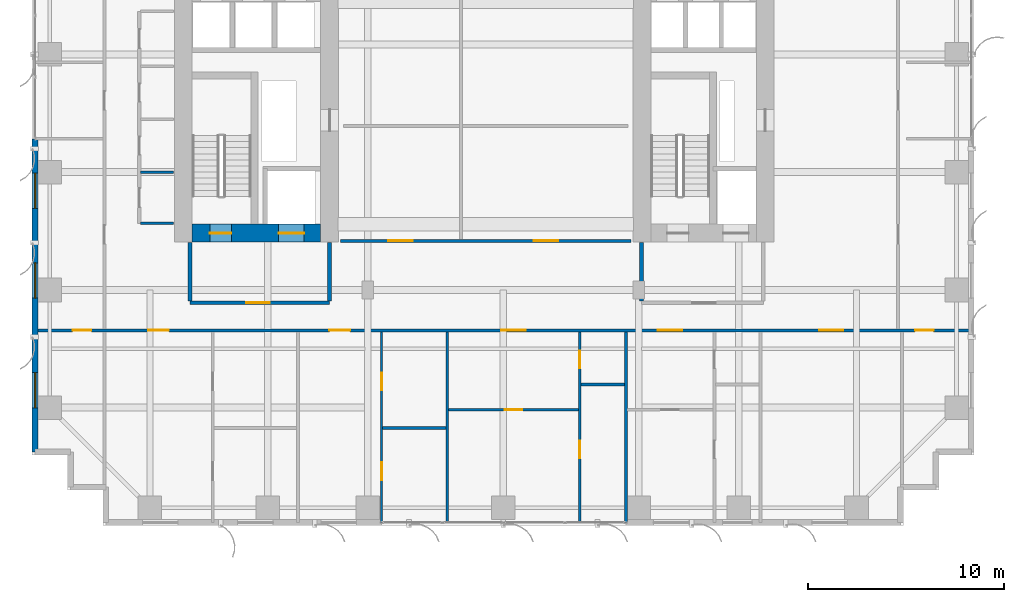
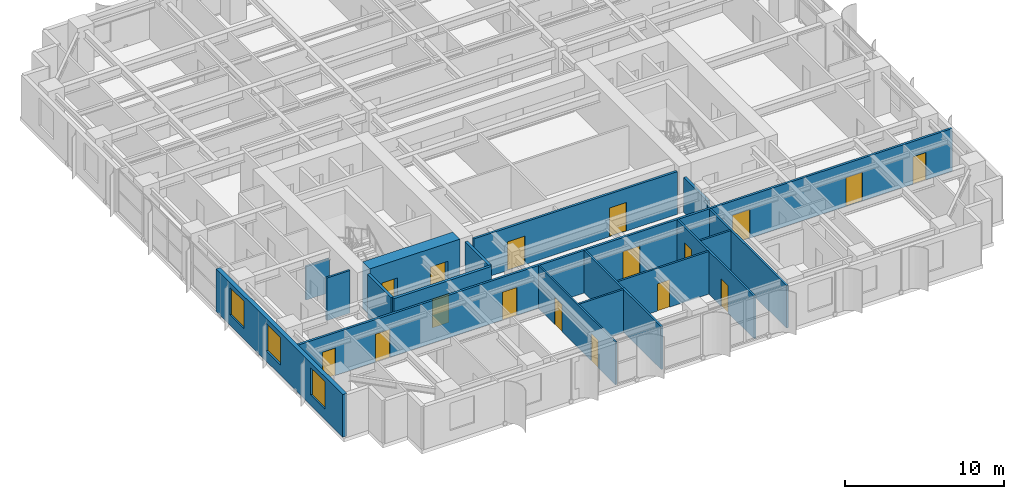
# One storey, part 15 of 23: 17 doors, 17 walls, 3 windows, 20 openings.
"""IFC4 building model written with IfcOpenShell, lengths in metres."""

from ifc_helpers import new_model, si_unit, direction, frame, frame_2d, origin, place, context, subcontext, project, spatial, rectangle, extrude, source, transform, mapped, material, layer, layer_set, type_object, element, fill, save


model = new_model("IFC4")

# Units and contexts
model_context = context("Model", 3, precision=1e-05, world=origin(), true_north=direction((0.0, 1.0)))
body_context = subcontext(model_context, "Body", "Model", "MODEL_VIEW")
ifc_project = project(units=[si_unit("LENGTHUNIT", "METRE"), si_unit("AREAUNIT", "SQUARE_METRE"), si_unit("VOLUMEUNIT", "CUBIC_METRE"), si_unit("PLANEANGLEUNIT", "RADIAN"), si_unit("MASSUNIT", "GRAM", prefix="KILO")], contexts=[model_context])

# Site, building, storey
site_placement = place(None, origin())
site = spatial("IfcSite", under=ifc_project, at=site_placement, CompositionType="ELEMENT")
building_placement = place(site_placement, origin())
building = spatial("IfcBuilding", under=site, at=building_placement, Name="Khoralis Quay Care Tower", CompositionType="ELEMENT")
storey_placement = place(building_placement, frame((0.0, 0.0, 72.89990234375)))
storey = spatial("IfcBuildingStorey", under=building, at=storey_placement, Name="L19", CompositionType="ELEMENT", Elevation=72.89990234375)

# Wall, opening, door
ifc_material_1 = material(Name="Gypsum plasterboard on acoustic metal stud")
ifc_layer_1 = layer(ifc_material_1, 0.199951171875)
ifc_layer_set_1 = layer_set([ifc_layer_1], Name="Gypsum plasterboard on acoustic metal stud")
wall_type_1 = type_object("IfcWallType", Name="WL-COMP-200", PredefinedType="PARTITIONING", material=ifc_layer_set_1)
wall_1_placement = place(storey_placement, frame((8.050048828125, 11.35009765625, 0.0), z_axis=(0.0, 0.0, 1.0), x_axis=(1.0, 0.0, 0.0)))
wall_1 = element("IfcWall", 1, at=wall_1_placement, inside=storey, type_object=wall_type_1, Name="L19 West Firefighting Lobby South Wall", PredefinedType="PARTITIONING", context=body_context, shape_type="SweptSolid", body=[
    extrude(rectangle(XDim=7.099853515625, YDim=0.199951171875, at=frame_2d((3.5498046875, 0.0))), origin(), (0.0, 0.0, 1.0), 3.280029296875),
])
opening_1_placement = place(wall_1_placement, frame((2.846435546875, 0.0, 0.0)))
opening_1 = element("IfcOpeningElement", 2, at=opening_1_placement, cuts=wall_1, Name="Opening FD1", PredefinedType="OPENING", context=body_context, shape_type="SweptSolid", body=[
    extrude(rectangle(XDim=1.199951171875, YDim=2.199951171875, at=frame_2d((0.60009765625, 1.10009765625))), frame((0.0, 0.10986328125, 0.0), z_axis=(0.0, -1.0, 0.0), x_axis=(1.0, 0.0, 0.0)), (0.0, 0.0, 1.0), 0.219970703125),
])
ifc_material_2 = material(Name="Fire-rated painted steel", Category="steel")
door_type_1 = type_object("IfcDoorType", Name="DR-FFL-1200X2200", OperationType="NOTDEFINED", PredefinedType="DOOR", material=ifc_material_2)
shared_shape_1 = source(origin(), body_context, "Body", "SweptSolid", [
    extrude(rectangle(XDim=1.199951171875, YDim=2.199951171875, at=frame_2d((0.60009765625, 1.10009765625))), frame((0.0, 0.02490234375, 0.0), z_axis=(0.0, -1.0, 0.0), x_axis=(1.0, 0.0, 0.0)), (0.0, 0.0, 1.0), 0.050048828125),
])
door_1_placement = place(opening_1_placement, origin())
door_1 = element("IfcDoor", 3, at=door_1_placement, inside=storey, type_object=door_type_1, Name="L19 West Firefighting Lobby Fire Door", OperationType="SINGLE_SWING_LEFT", OverallHeight=2.199951171875, OverallWidth=1.199951171875, PredefinedType="DOOR", context=body_context, shape_type="MappedRepresentation", body=[
    mapped(shared_shape_1, transform((0.0, 0.0, 0.0), scale=1.0)),
])
fill(opening_1, door_1)

# Walls
for number, where, z_axis, x_axis, name in (
    (4, (8.050048828125, 11.445068359375, 0.0), (0.0, 0.0, 1.0), (0.0, 1.0, 0.0), "L19 West Firefighting Lobby West Wall"),
    (5, (15.14990234375, 11.445068359375, 0.0), (0.0, 0.0, 1.0), (0.0, 1.0, 0.0), "L19 West Firefighting Lobby East Wall"),
):
    element("IfcWall", number, at=place(storey_placement, frame(where, z_axis=z_axis, x_axis=x_axis)), inside=storey, type_object=wall_type_1, Name=name, PredefinedType="PARTITIONING", context=body_context, shape_type="SweptSolid", body=[
        extrude(rectangle(XDim=2.98486328125, YDim=0.199951171875, at=frame_2d((1.492431640625, 0.0))), origin(), (0.0, 0.0, 1.0), 3.280029296875),
    ])
wall_2_placement = place(storey_placement, frame((31.050048828125, 11.445068359375, 0.0), z_axis=(0.0, 0.0, 1.0), x_axis=(0.0, 1.0, 0.0)))
element("IfcWall", 6, at=wall_2_placement, inside=storey, type_object=wall_type_1, Name="L19 East Firefighting Lobby West Wall", PredefinedType="PARTITIONING", context=body_context, shape_type="SweptSolid", body=[
    extrude(rectangle(XDim=2.98486328125, YDim=0.199951171875, at=frame_2d((1.492431640625, 0.0))), origin(), (0.0, 0.0, 1.0), 2.6640625),
])

# Wall, openings, doors
ifc_material_3 = material(Name="Concrete C80/95", Category="concrete")
ifc_layer_2 = layer(ifc_material_3, 0.89990234375)
ifc_layer_set_2 = layer_set([ifc_layer_2], Name="Concrete C80/95")
wall_type_2 = type_object("IfcWallType", Name="WL-CORE-900", PredefinedType="SHEAR", material=ifc_layer_set_2)
wall_3_placement = place(storey_placement, frame((8.14990234375, 14.89990234375, 0.0), z_axis=(0.0, 0.0, 1.0), x_axis=(1.0, 0.0, 0.0)))
wall_3 = element("IfcWall", 7, at=wall_3_placement, inside=storey, type_object=wall_type_2, Name="L19 WCORE South Shear Wall", PredefinedType="SHEAR", context=body_context, shape_type="SweptSolid", body=[
    extrude(rectangle(XDim=6.550048828125, YDim=0.89990234375, at=frame_2d((3.27490234375, 0.0))), origin(), (0.0, 0.0, 1.0), 3.60009765625),
])
opening_2_placement = place(wall_3_placement, frame((0.89990234375, 0.0, 0.0)))
opening_2 = element("IfcOpeningElement", 8, at=opening_2_placement, cuts=wall_3, Name="Opening SD1", PredefinedType="OPENING", context=body_context, shape_type="SweptSolid", body=[
    extrude(rectangle(XDim=1.10009765625, YDim=2.199951171875, at=frame_2d((0.550048828125, 1.10009765625))), frame((0.0, 0.4599609375, 0.0), z_axis=(0.0, -1.0, 0.0), x_axis=(1.0, 0.0, 0.0)), (0.0, 0.0, 1.0), 0.919921875),
])
opening_3_placement = place(wall_3_placement, frame((4.39990234375, 0.0, 0.0)))
opening_3 = element("IfcOpeningElement", 9, at=opening_3_placement, cuts=wall_3, Name="Opening LD2", PredefinedType="OPENING", context=body_context, shape_type="SweptSolid", body=[
    extrude(rectangle(XDim=1.300048828125, YDim=2.199951171875, at=frame_2d((0.64990234375, 1.10009765625))), frame((0.0, 0.4599609375, 0.0), z_axis=(0.0, -1.0, 0.0), x_axis=(1.0, 0.0, 0.0)), (0.0, 0.0, 1.0), 0.919921875),
])
door_type_2 = type_object("IfcDoorType", Name="DR-STAIR-1100X2200", OperationType="NOTDEFINED", PredefinedType="DOOR", material=ifc_material_2)
shared_shape_2 = source(origin(), body_context, "Body", "SweptSolid", [
    extrude(rectangle(XDim=1.10009765625, YDim=2.199951171875, at=frame_2d((0.550048828125, 1.10009765625))), frame((0.0, 0.02490234375, 0.0), z_axis=(0.0, -1.0, 0.0), x_axis=(1.0, 0.0, 0.0)), (0.0, 0.0, 1.0), 0.050048828125),
])
door_2_placement = place(opening_2_placement, origin())
door_2 = element("IfcDoor", 10, at=door_2_placement, inside=storey, type_object=door_type_2, Name="L19 Stair ST-T1 Fire Door", OperationType="SINGLE_SWING_LEFT", OverallHeight=2.199951171875, OverallWidth=1.10009765625, PredefinedType="DOOR", context=body_context, shape_type="MappedRepresentation", body=[
    mapped(shared_shape_2, transform((0.0, 0.0, 0.0), scale=1.0)),
])
fill(opening_2, door_2)
ifc_material_4 = material(Name="Brushed stainless steel", Category="steel")
door_type_3 = type_object("IfcDoorType", Name="DR-LIFT-1300X2200", OperationType="SLIDING_TO_RIGHT", PredefinedType="DOOR", material=ifc_material_4)
shared_shape_3 = source(origin(), body_context, "Body", "SweptSolid", [
    extrude(rectangle(XDim=1.300048828125, YDim=2.199951171875, at=frame_2d((0.64990234375, 1.10009765625))), frame((0.0, 0.02490234375, 0.0), z_axis=(0.0, -1.0, 0.0), x_axis=(1.0, 0.0, 0.0)), (0.0, 0.0, 1.0), 0.050048828125),
])
door_3_placement = place(opening_3_placement, origin())
door_3 = element("IfcDoor", 11, at=door_3_placement, inside=storey, type_object=door_type_3, Name="L19 Firefighting Lift FFL-1 Landing Door", OperationType="SLIDING_TO_RIGHT", OverallHeight=2.199951171875, OverallWidth=1.300048828125, PredefinedType="DOOR", context=body_context, shape_type="MappedRepresentation", body=[
    mapped(shared_shape_3, transform((0.0, 0.0, 0.0), scale=1.0)),
])
fill(opening_3, door_3)

ifc_layer_3 = layer(ifc_material_1, 0.1650390625)
ifc_layer_set_3 = layer_set([ifc_layer_3], Name="Gypsum plasterboard on acoustic metal stud")
wall_type_3 = type_object("IfcWallType", Name="WL-CORR-165", PredefinedType="PARTITIONING", material=ifc_layer_set_3)
wall_4_placement = place(storey_placement, frame((0.14501953125, 9.93994140625, 0.0), z_axis=(0.0, 0.0, 1.0), x_axis=(1.0, 0.0, 0.0)))
wall_4 = element("IfcWall", 12, at=wall_4_placement, inside=storey, type_object=wall_type_3, Name="L19 South Main Corridor Wall", PredefinedType="PARTITIONING", context=body_context, shape_type="SweptSolid", body=[
    extrude(rectangle(XDim=47.7099609375, YDim=0.1650390625, at=frame_2d((23.85498046875, 0.0))), origin(), (0.0, 0.0, 1.0), 3.280029296875),
])
opening_4_placement = place(wall_4_placement, frame((5.77099609375, 0.0, 0.0)))
opening_4 = element("IfcOpeningElement", 13, at=opening_4_placement, cuts=wall_4, Name="Opening UD1", PredefinedType="OPENING", context=body_context, shape_type="SweptSolid", body=[
    extrude(rectangle(XDim=1.050048828125, YDim=2.14990234375, at=frame_2d((0.52490234375, 1.074951171875))), frame((0.0, 0.092529296875, 0.0), z_axis=(0.0, -1.0, 0.0), x_axis=(1.0, 0.0, 0.0)), (0.0, 0.0, 1.0), 0.18505859375),
])
opening_5_placement = place(wall_4_placement, frame((15.0009765625, 0.0, 0.0)))
opening_5 = element("IfcOpeningElement", 14, at=opening_5_placement, cuts=wall_4, Name="Opening UD1", PredefinedType="OPENING", context=body_context, shape_type="SweptSolid", body=[
    extrude(rectangle(XDim=1.050048828125, YDim=2.14990234375, at=frame_2d((0.52490234375, 1.074951171875))), frame((0.0, 0.092529296875, 0.0), z_axis=(0.0, -1.0, 0.0), x_axis=(1.0, 0.0, 0.0)), (0.0, 0.0, 1.0), 0.18505859375),
])
opening_6_placement = place(wall_4_placement, frame((23.7548828125, 0.0, 0.0)))
opening_6 = element("IfcOpeningElement", 15, at=opening_6_placement, cuts=wall_4, Name="Opening CD1", PredefinedType="OPENING", context=body_context, shape_type="SweptSolid", body=[
    extrude(rectangle(XDim=1.25, YDim=2.199951171875, at=frame_2d((0.625, 1.10009765625))), frame((0.0, 0.092529296875, 0.0), z_axis=(0.0, -1.0, 0.0), x_axis=(1.0, 0.0, 0.0)), (0.0, 0.0, 1.0), 0.18505859375),
])
opening_7_placement = place(wall_4_placement, frame((31.735107421875, 0.0, 0.0)))
opening_7 = element("IfcOpeningElement", 16, at=opening_7_placement, cuts=wall_4, Name="Opening CD1", PredefinedType="OPENING", context=body_context, shape_type="SweptSolid", body=[
    extrude(rectangle(XDim=1.25, YDim=2.199951171875, at=frame_2d((0.625, 1.10009765625))), frame((0.0, 0.092529296875, 0.0), z_axis=(0.0, -1.0, 0.0), x_axis=(1.0, 0.0, 0.0)), (0.0, 0.0, 1.0), 0.18505859375),
])
opening_8_placement = place(wall_4_placement, frame((39.969970703125, 0.0, 0.0)))
opening_8 = element("IfcOpeningElement", 17, at=opening_8_placement, cuts=wall_4, Name="Opening FD1", PredefinedType="OPENING", context=body_context, shape_type="SweptSolid", body=[
    extrude(rectangle(XDim=1.199951171875, YDim=2.199951171875, at=frame_2d((0.60009765625, 1.10009765625))), frame((0.0, 0.092529296875, 0.0), z_axis=(0.0, -1.0, 0.0), x_axis=(1.0, 0.0, 0.0)), (0.0, 0.0, 1.0), 0.18505859375),
])
opening_9_placement = place(wall_4_placement, frame((1.919921875, 0.0, 0.0)))
opening_9 = element("IfcOpeningElement", 18, at=opening_9_placement, cuts=wall_4, Name="Opening ID1", PredefinedType="OPENING", context=body_context, shape_type="SweptSolid", body=[
    extrude(rectangle(XDim=0.949951171875, YDim=2.10009765625, at=frame_2d((0.47509765625, 1.050048828125))), frame((0.0, 0.092529296875, 0.0), z_axis=(0.0, -1.0, 0.0), x_axis=(1.0, 0.0, 0.0)), (0.0, 0.0, 1.0), 0.18505859375),
])
opening_10_placement = place(wall_4_placement, frame((44.840087890625, 0.0, 0.0)))
opening_10 = element("IfcOpeningElement", 19, at=opening_10_placement, cuts=wall_4, Name="Opening ID1", PredefinedType="OPENING", context=body_context, shape_type="SweptSolid", body=[
    extrude(rectangle(XDim=0.949951171875, YDim=2.10009765625, at=frame_2d((0.47509765625, 1.050048828125))), frame((0.0, 0.092529296875, 0.0), z_axis=(0.0, -1.0, 0.0), x_axis=(1.0, 0.0, 0.0)), (0.0, 0.0, 1.0), 0.18505859375),
])
door_4_placement = place(opening_8_placement, frame((1.199951171875, 0.0, 0.0), z_axis=(0.0, 0.0, 1.0), x_axis=(-1.0, 0.0, 0.0)))
door_4 = element("IfcDoor", 20, at=door_4_placement, inside=storey, type_object=door_type_1, Name="L19 Resident Communal Day Lounge Door", OperationType="DOUBLE_DOOR_SINGLE_SWING", OverallHeight=2.199951171875, OverallWidth=1.199951171875, PredefinedType="DOOR", context=body_context, shape_type="MappedRepresentation", body=[
    mapped(shared_shape_1, transform((0.0, 0.0, 0.0), scale=1.0)),
])
fill(opening_8, door_4)
ifc_material_5 = material(Name="Acoustic hardwood timber", Category="wood")
door_type_4 = type_object("IfcDoorType", Name="DR-CARE-1250X2200", OperationType="NOTDEFINED", PredefinedType="DOOR", material=ifc_material_5)
shared_shape_4 = source(origin(), body_context, "Body", "SweptSolid", [
    extrude(rectangle(XDim=1.25, YDim=2.199951171875, at=frame_2d((0.625, 1.10009765625))), frame((0.0, 0.02490234375, 0.0), z_axis=(0.0, -1.0, 0.0), x_axis=(1.0, 0.0, 0.0)), (0.0, 0.0, 1.0), 0.050048828125),
])
door_5_placement = place(opening_6_placement, frame((1.25, 0.0, 0.0), z_axis=(0.0, 0.0, 1.0), x_axis=(-1.0, 0.0, 0.0)))
door_5 = element("IfcDoor", 21, at=door_5_placement, inside=storey, type_object=door_type_4, Name="L19 Care Suite SB2 Clinical Door", OperationType="SINGLE_SWING_LEFT", OverallHeight=2.199951171875, OverallWidth=1.25, PredefinedType="DOOR", context=body_context, shape_type="MappedRepresentation", body=[
    mapped(shared_shape_4, transform((0.0, 0.0, 0.0), scale=1.0)),
])
fill(opening_6, door_5)
door_6_placement = place(opening_7_placement, frame((1.25, 0.0, 0.0), z_axis=(0.0, 0.0, 1.0), x_axis=(-1.0, 0.0, 0.0)))
door_6 = element("IfcDoor", 22, at=door_6_placement, inside=storey, type_object=door_type_4, Name="L19 Care Suite SB3 Clinical Door", OperationType="SINGLE_SWING_RIGHT", OverallHeight=2.199951171875, OverallWidth=1.25, PredefinedType="DOOR", context=body_context, shape_type="MappedRepresentation", body=[
    mapped(shared_shape_4, transform((0.0, 0.0, 0.0), scale=1.0)),
])
fill(opening_7, door_6)
door_type_5 = type_object("IfcDoorType", Name="DR-ROOM-950X2100", OperationType="NOTDEFINED", PredefinedType="DOOR", material=ifc_material_5)
shared_shape_5 = source(origin(), body_context, "Body", "SweptSolid", [
    extrude(rectangle(XDim=0.949951171875, YDim=2.10009765625, at=frame_2d((0.47509765625, 1.050048828125))), frame((0.0, 0.02490234375, 0.0), z_axis=(0.0, -1.0, 0.0), x_axis=(1.0, 0.0, 0.0)), (0.0, 0.0, 1.0), 0.050048828125),
])
door_7_placement = place(opening_9_placement, frame((0.949951171875, 0.0, 0.0), z_axis=(0.0, 0.0, 1.0), x_axis=(-1.0, 0.0, 0.0)))
door_7 = element("IfcDoor", 23, at=door_7_placement, inside=storey, type_object=door_type_5, Name="L19 SW Corner Door", OperationType="SINGLE_SWING_LEFT", OverallHeight=2.10009765625, OverallWidth=0.949951171875, PredefinedType="DOOR", context=body_context, shape_type="MappedRepresentation", body=[
    mapped(shared_shape_5, transform((0.0, 0.0, 0.0), scale=1.0)),
])
fill(opening_9, door_7)
door_8_placement = place(opening_10_placement, frame((0.949951171875, 0.0, 0.0), z_axis=(0.0, 0.0, 1.0), x_axis=(-1.0, 0.0, 0.0)))
door_8 = element("IfcDoor", 24, at=door_8_placement, inside=storey, type_object=door_type_5, Name="L19 SE Corner Door", OperationType="SINGLE_SWING_RIGHT", OverallHeight=2.10009765625, OverallWidth=0.949951171875, PredefinedType="DOOR", context=body_context, shape_type="MappedRepresentation", body=[
    mapped(shared_shape_5, transform((0.0, 0.0, 0.0), scale=1.0)),
])
fill(opening_10, door_8)
door_type_6 = type_object("IfcDoorType", Name="DR-SUITE-1050X2150", OperationType="NOTDEFINED", PredefinedType="DOOR", material=ifc_material_5)
shared_shape_6 = source(origin(), body_context, "Body", "SweptSolid", [
    extrude(rectangle(XDim=1.050048828125, YDim=2.14990234375, at=frame_2d((0.52490234375, 1.074951171875))), frame((0.0, 0.02490234375, 0.0), z_axis=(0.0, -1.0, 0.0), x_axis=(1.0, 0.0, 0.0)), (0.0, 0.0, 1.0), 0.050048828125),
])
door_9_placement = place(opening_4_placement, frame((1.050048828125, 0.0, 0.0), z_axis=(0.0, 0.0, 1.0), x_axis=(-1.0, 0.0, 0.0)))
door_9 = element("IfcDoor", 25, at=door_9_placement, inside=storey, type_object=door_type_6, Name="L19 Studio SB0 Entrance", OperationType="SINGLE_SWING_LEFT", OverallHeight=2.14990234375, OverallWidth=1.050048828125, PredefinedType="DOOR", context=body_context, shape_type="MappedRepresentation", body=[
    mapped(shared_shape_6, transform((0.0, 0.0, 0.0), scale=1.0)),
])
fill(opening_4, door_9)
door_10_placement = place(opening_5_placement, frame((1.050048828125, 0.0, 0.0), z_axis=(0.0, 0.0, 1.0), x_axis=(-1.0, 0.0, 0.0)))
door_10 = element("IfcDoor", 26, at=door_10_placement, inside=storey, type_object=door_type_6, Name="L19 Studio SB1 Entrance", OperationType="SINGLE_SWING_RIGHT", OverallHeight=2.14990234375, OverallWidth=1.050048828125, PredefinedType="DOOR", context=body_context, shape_type="MappedRepresentation", body=[
    mapped(shared_shape_6, transform((0.0, 0.0, 0.0), scale=1.0)),
])
fill(opening_5, door_10)

wall_5_placement = place(storey_placement, frame((15.699951171875, 14.5, 0.0), z_axis=(0.0, 0.0, 1.0), x_axis=(1.0, 0.0, 0.0)))
wall_5 = element("IfcWall", 27, at=wall_5_placement, inside=storey, type_object=wall_type_3, Name="L19 Central Clinical South Wall", PredefinedType="PARTITIONING", context=body_context, shape_type="SweptSolid", body=[
    extrude(rectangle(XDim=14.800048828125, YDim=0.1650390625, at=frame_2d((7.39990234375, 0.0))), origin(), (0.0, 0.0, 1.0), 3.280029296875),
])
opening_11_placement = place(wall_5_placement, frame((2.449951171875, 0.0, 0.0)))
opening_11 = element("IfcOpeningElement", 28, at=opening_11_placement, cuts=wall_5, Name="Opening CD1", PredefinedType="OPENING", context=body_context, shape_type="SweptSolid", body=[
    extrude(rectangle(XDim=1.25, YDim=2.199951171875, at=frame_2d((0.625, 1.10009765625))), frame((0.0, 0.092529296875, 0.0), z_axis=(0.0, -1.0, 0.0), x_axis=(1.0, 0.0, 0.0)), (0.0, 0.0, 1.0), 0.18505859375),
])
opening_12_placement = place(wall_5_placement, frame((9.85009765625, 0.0, 0.0)))
opening_12 = element("IfcOpeningElement", 29, at=opening_12_placement, cuts=wall_5, Name="Opening CD1", PredefinedType="OPENING", context=body_context, shape_type="SweptSolid", body=[
    extrude(rectangle(XDim=1.25, YDim=2.199951171875, at=frame_2d((0.625, 1.10009765625))), frame((0.0, 0.092529296875, 0.0), z_axis=(0.0, -1.0, 0.0), x_axis=(1.0, 0.0, 0.0)), (0.0, 0.0, 1.0), 0.18505859375),
])
door_11_placement = place(opening_11_placement, origin())
door_11 = element("IfcDoor", 30, at=door_11_placement, inside=storey, type_object=door_type_4, Name="L19 Nurse Station Door", OperationType="SINGLE_SWING_LEFT", OverallHeight=2.199951171875, OverallWidth=1.25, PredefinedType="DOOR", context=body_context, shape_type="MappedRepresentation", body=[
    mapped(shared_shape_4, transform((0.0, 0.0, 0.0), scale=1.0)),
])
fill(opening_11, door_11)
door_12_placement = place(opening_12_placement, origin())
door_12 = element("IfcDoor", 31, at=door_12_placement, inside=storey, type_object=door_type_4, Name="L19 Treatment Clinic Door", OperationType="SINGLE_SWING_RIGHT", OverallHeight=2.199951171875, OverallWidth=1.25, PredefinedType="DOOR", context=body_context, shape_type="MappedRepresentation", body=[
    mapped(shared_shape_4, transform((0.0, 0.0, 0.0), scale=1.0)),
])
fill(opening_12, door_12)

# Wall, openings, windows
ifc_material_6 = material(Name="Precast concrete C45/55", Category="concrete")
ifc_layer_4 = layer(ifc_material_6, 0.300048828125)
ifc_layer_set_4 = layer_set([ifc_layer_4], Name="Precast concrete C45/55")
wall_type_4 = type_object("IfcWallType", Name="WL-EXT-REF-300", PredefinedType="SOLIDWALL", material=ifc_layer_set_4)
wall_6_placement = place(storey_placement, frame((0.14990234375, 19.699951171875, 0.0), z_axis=(0.0, 0.0, 1.0), x_axis=(0.0, -1.0, 0.0)))
wall_6 = element("IfcWall", 32, at=wall_6_placement, inside=storey, type_object=wall_type_4, Name="L19 External Facade Wall WL-EXT-L19-P1-E15B", PredefinedType="SOLIDWALL", context=body_context, shape_type="SweptSolid", body=[
    extrude(rectangle(XDim=15.949951171875, YDim=0.300048828125, at=frame_2d((7.97509765625, 0.0))), origin(), (0.0, 0.0, 1.0), 3.280029296875),
])
opening_13_placement = place(wall_6_placement, frame((1.7451171875, 0.0, 0.800048828125)))
opening_13 = element("IfcOpeningElement", 33, at=opening_13_placement, cuts=wall_6, Name="Opening W2", PredefinedType="OPENING", context=body_context, shape_type="SweptSolid", body=[
    extrude(rectangle(XDim=1.800048828125, YDim=2.10009765625, at=frame_2d((0.89990234375, 1.050048828125))), frame((0.0, 0.16015625, 0.0), z_axis=(0.0, -1.0, 0.0), x_axis=(1.0, 0.0, 0.0)), (0.0, 0.0, 1.0), 0.320068359375),
])
opening_14_placement = place(wall_6_placement, frame((6.31494140625, 0.0, 0.800048828125)))
opening_14 = element("IfcOpeningElement", 34, at=opening_14_placement, cuts=wall_6, Name="Opening W2", PredefinedType="OPENING", context=body_context, shape_type="SweptSolid", body=[
    extrude(rectangle(XDim=1.800048828125, YDim=2.10009765625, at=frame_2d((0.89990234375, 1.050048828125))), frame((0.0, 0.16015625, 0.0), z_axis=(0.0, -1.0, 0.0), x_axis=(1.0, 0.0, 0.0)), (0.0, 0.0, 1.0), 0.320068359375),
])
opening_15_placement = place(wall_6_placement, frame((11.905029296875, 0.0, 0.800048828125)))
opening_15 = element("IfcOpeningElement", 35, at=opening_15_placement, cuts=wall_6, Name="Opening W2", PredefinedType="OPENING", context=body_context, shape_type="SweptSolid", body=[
    extrude(rectangle(XDim=1.800048828125, YDim=2.10009765625, at=frame_2d((0.89990234375, 1.050048828125))), frame((0.0, 0.16015625, 0.0), z_axis=(0.0, -1.0, 0.0), x_axis=(1.0, 0.0, 0.0)), (0.0, 0.0, 1.0), 0.320068359375),
])
ifc_material_7 = material(Name="Low-E solar-control double glazing", Category="glass")
window_type = type_object("IfcWindowType", Name="WN-POD-1800X2100", PartitioningType="SINGLE_PANEL", PredefinedType="WINDOW", material=ifc_material_7)
shared_shape_7 = source(origin(), body_context, "Body", "SweptSolid", [
    extrude(rectangle(XDim=1.800048828125, YDim=2.10009765625, at=frame_2d((0.89990234375, 1.050048828125))), frame((0.0, 0.030029296875, 0.0), z_axis=(0.0, -1.0, 0.0), x_axis=(1.0, 0.0, 0.0)), (0.0, 0.0, 1.0), 0.06005859375),
])
window_1_placement = place(opening_13_placement, origin())
window_1 = element("IfcWindow", 36, at=window_1_placement, inside=storey, type_object=window_type, Name="WN-L19-P1-E15B Facade Window 01", OverallHeight=2.10009765625, OverallWidth=1.800048828125, PartitioningType="SINGLE_PANEL", PredefinedType="WINDOW", context=body_context, shape_type="MappedRepresentation", body=[
    mapped(shared_shape_7, transform((0.0, 0.0, 0.0), scale=1.0)),
])
fill(opening_13, window_1)
window_2_placement = place(opening_14_placement, origin())
window_2 = element("IfcWindow", 37, at=window_2_placement, inside=storey, type_object=window_type, Name="WN-L19-P1-E15B Facade Window 02", OverallHeight=2.10009765625, OverallWidth=1.800048828125, PartitioningType="SINGLE_PANEL", PredefinedType="WINDOW", context=body_context, shape_type="MappedRepresentation", body=[
    mapped(shared_shape_7, transform((0.0, 0.0, 0.0), scale=1.0)),
])
fill(opening_14, window_2)
window_3_placement = place(opening_15_placement, origin())
window_3 = element("IfcWindow", 38, at=window_3_placement, inside=storey, type_object=window_type, Name="WN-L19-P1-E15B Facade Window 03", OverallHeight=2.10009765625, OverallWidth=1.800048828125, PartitioningType="SINGLE_PANEL", PredefinedType="WINDOW", context=body_context, shape_type="MappedRepresentation", body=[
    mapped(shared_shape_7, transform((0.0, 0.0, 0.0), scale=1.0)),
])
fill(opening_15, window_3)

# Wall, openings, doors
ifc_layer_5 = layer(ifc_material_1, 0.114990234375)
ifc_layer_set_5 = layer_set([ifc_layer_5], Name="Gypsum plasterboard on acoustic metal stud")
wall_type_5 = type_object("IfcWallType", Name="WL-PART-115", PredefinedType="PARTITIONING", material=ifc_layer_set_5)
wall_7_placement = place(storey_placement, frame((17.802001953125, 0.14501953125, 0.0), z_axis=(0.0, 0.0, 1.0), x_axis=(0.0, 1.0, 0.0)))
wall_7 = element("IfcWall", 39, at=wall_7_placement, inside=storey, type_object=wall_type_5, Name="L19 Studio 1 Internal Wall", PredefinedType="PARTITIONING", context=body_context, shape_type="SweptSolid", body=[
    extrude(rectangle(XDim=9.717529296875, YDim=0.114990234375, at=frame_2d((4.85888671875, 0.0))), origin(), (0.0, 0.0, 1.0), 3.280029296875),
])
opening_16_placement = place(wall_7_placement, frame((2.1650390625, 0.0, 0.0)))
opening_16 = element("IfcOpeningElement", 40, at=opening_16_placement, cuts=wall_7, Name="Opening WD1", PredefinedType="OPENING", context=body_context, shape_type="SweptSolid", body=[
    extrude(rectangle(XDim=0.89990234375, YDim=2.10009765625, at=frame_2d((0.449951171875, 1.050048828125))), frame((0.0, 0.0673828125, 0.0), z_axis=(0.0, -1.0, 0.0), x_axis=(1.0, 0.0, 0.0)), (0.0, 0.0, 1.0), 0.135009765625),
])
opening_17_placement = place(wall_7_placement, frame((6.7451171875, 0.0, 0.0)))
opening_17 = element("IfcOpeningElement", 41, at=opening_17_placement, cuts=wall_7, Name="Opening WD1", PredefinedType="OPENING", context=body_context, shape_type="SweptSolid", body=[
    extrude(rectangle(XDim=0.89990234375, YDim=2.10009765625, at=frame_2d((0.449951171875, 1.050048828125))), frame((0.0, 0.0673828125, 0.0), z_axis=(0.0, -1.0, 0.0), x_axis=(1.0, 0.0, 0.0)), (0.0, 0.0, 1.0), 0.135009765625),
])
door_type_7 = type_object("IfcDoorType", Name="DR-BATH-900X2100", OperationType="NOTDEFINED", PredefinedType="DOOR", material=ifc_material_5)
shared_shape_8 = source(origin(), body_context, "Body", "SweptSolid", [
    extrude(rectangle(XDim=0.89990234375, YDim=2.10009765625, at=frame_2d((0.449951171875, 1.050048828125))), frame((0.0, 0.02490234375, 0.0), z_axis=(0.0, -1.0, 0.0), x_axis=(1.0, 0.0, 0.0)), (0.0, 0.0, 1.0), 0.050048828125),
])
door_13_placement = place(opening_16_placement, frame((0.89990234375, 0.0, 0.0), z_axis=(0.0, 0.0, 1.0), x_axis=(-1.0, 0.0, 0.0)))
door_13 = element("IfcDoor", 42, at=door_13_placement, inside=storey, type_object=door_type_7, Name="L19 Studio SKT Door", OperationType="SINGLE_SWING_LEFT", OverallHeight=2.10009765625, OverallWidth=0.89990234375, PredefinedType="DOOR", context=body_context, shape_type="MappedRepresentation", body=[
    mapped(shared_shape_8, transform((0.0, 0.0, 0.0), scale=1.0)),
])
fill(opening_16, door_13)
door_14_placement = place(opening_17_placement, frame((0.89990234375, 0.0, 0.0), z_axis=(0.0, 0.0, 1.0), x_axis=(-1.0, 0.0, 0.0)))
door_14 = element("IfcDoor", 43, at=door_14_placement, inside=storey, type_object=door_type_7, Name="L19 Studio SBH Door", OperationType="SINGLE_SWING_RIGHT", OverallHeight=2.10009765625, OverallWidth=0.89990234375, PredefinedType="DOOR", context=body_context, shape_type="MappedRepresentation", body=[
    mapped(shared_shape_8, transform((0.0, 0.0, 0.0), scale=1.0)),
])
fill(opening_17, door_14)

# Walls
ifc_material_8 = material(Name="Moisture-resistant gypsum and ceramic tile")
ifc_layer_6 = layer(ifc_material_8, 0.280029296875)
ifc_layer_set_6 = layer_set([ifc_layer_6], Name="Moisture-resistant gypsum and ceramic tile")
wall_type_6 = type_object("IfcWallType", Name="WL-PLUMB-280", PredefinedType="PLUMBINGWALL", material=ifc_layer_set_6)
wall_8_placement = place(storey_placement, frame((5.527587890625, 18.0, 0.0), z_axis=(0.0, 0.0, 1.0), x_axis=(1.0, 0.0, 0.0)))
element("IfcWall", 44, at=wall_8_placement, inside=storey, type_object=wall_type_6, Name="L19 West Flank Divider 1", PredefinedType="PLUMBINGWALL", context=body_context, shape_type="SweptSolid", body=[
    extrude(rectangle(XDim=1.682373046875, YDim=0.139892578125, at=frame_2d((0.84130859375, 0.0))), origin(), (0.0, 0.0, 1.0), 2.585205078125),
])
wall_9_placement = place(storey_placement, frame((17.8544921875, 4.969970703125, 0.0), z_axis=(0.0, 0.0, 1.0), x_axis=(1.0, 0.0, 0.0)))
element("IfcWall", 45, at=wall_9_placement, inside=storey, type_object=wall_type_6, Name="L19 Studio 1 Wet Split", PredefinedType="PLUMBINGWALL", context=body_context, shape_type="SweptSolid", body=[
    extrude(rectangle(XDim=3.23046875, YDim=0.139892578125, at=frame_2d((1.615234375, 0.0))), origin(), (0.0, 0.0, 1.0), 3.280029296875),
])

# Wall, openings, doors
wall_10_placement = place(storey_placement, frame((27.89990234375, 0.14501953125, 0.0), z_axis=(0.0, 0.0, 1.0), x_axis=(0.0, 1.0, 0.0)))
wall_10 = element("IfcWall", 46, at=wall_10_placement, inside=storey, type_object=wall_type_6, Name="L19 Care Suite 2 En-Suite Wall V", PredefinedType="PLUMBINGWALL", context=body_context, shape_type="SweptSolid", body=[
    extrude(rectangle(XDim=9.717529296875, YDim=0.139892578125, at=frame_2d((4.85888671875, 0.0))), origin(), (0.0, 0.0, 1.0), 3.280029296875),
])
opening_18_placement = place(wall_10_placement, frame((7.85498046875, 0.0, 0.0)))
opening_18 = element("IfcOpeningElement", 47, at=opening_18_placement, cuts=wall_10, Name="Opening WD1", PredefinedType="OPENING", context=body_context, shape_type="SweptSolid", body=[
    extrude(rectangle(XDim=0.89990234375, YDim=2.10009765625, at=frame_2d((0.449951171875, 1.050048828125))), frame((0.0, 0.080078125, 0.0), z_axis=(0.0, -1.0, 0.0), x_axis=(1.0, 0.0, 0.0)), (0.0, 0.0, 1.0), 0.159912109375),
])
opening_19_placement = place(wall_10_placement, frame((3.27490234375, 0.0, 0.0)))
opening_19 = element("IfcOpeningElement", 48, at=opening_19_placement, cuts=wall_10, Name="Opening WD1", PredefinedType="OPENING", context=body_context, shape_type="SweptSolid", body=[
    extrude(rectangle(XDim=0.89990234375, YDim=2.10009765625, at=frame_2d((0.449951171875, 1.050048828125))), frame((0.0, 0.080078125, 0.0), z_axis=(0.0, -1.0, 0.0), x_axis=(1.0, 0.0, 0.0)), (0.0, 0.0, 1.0), 0.159912109375),
])
door_15_placement = place(opening_18_placement, frame((0.89990234375, 0.0, 0.0), z_axis=(0.0, 0.0, 1.0), x_axis=(-1.0, 0.0, 0.0)))
door_15 = element("IfcDoor", 49, at=door_15_placement, inside=storey, type_object=door_type_7, Name="L19 Care CENS Door", OperationType="SINGLE_SWING_RIGHT", OverallHeight=2.10009765625, OverallWidth=0.89990234375, PredefinedType="DOOR", context=body_context, shape_type="MappedRepresentation", body=[
    mapped(shared_shape_8, transform((0.0, 0.0, 0.0), scale=1.0)),
])
fill(opening_18, door_15)
door_16_placement = place(opening_19_placement, frame((0.89990234375, 0.0, 0.0), z_axis=(0.0, 0.0, 1.0), x_axis=(-1.0, 0.0, 0.0)))
door_16 = element("IfcDoor", 50, at=door_16_placement, inside=storey, type_object=door_type_7, Name="L19 Care CSIT Door", OperationType="SINGLE_SWING_LEFT", OverallHeight=2.10009765625, OverallWidth=0.89990234375, PredefinedType="DOOR", context=body_context, shape_type="MappedRepresentation", body=[
    mapped(shared_shape_8, transform((0.0, 0.0, 0.0), scale=1.0)),
])
fill(opening_19, door_16)

# Walls
wall_11_placement = place(storey_placement, frame((27.965087890625, 7.18994140625, 0.0), z_axis=(0.0, 0.0, 1.0), x_axis=(1.0, 0.0, 0.0)))
element("IfcWall", 51, at=wall_11_placement, inside=storey, type_object=wall_type_6, Name="L19 Care Suite 2 En-Suite Wall H", PredefinedType="PLUMBINGWALL", context=body_context, shape_type="SweptSolid", body=[
    extrude(rectangle(XDim=2.219970703125, YDim=0.139892578125, at=frame_2d((1.10986328125, 0.0))), origin(), (0.0, 0.0, 1.0), 3.280029296875),
])
ifc_layer_7 = layer(ifc_material_1, 0.139892578125)
ifc_layer_set_7 = layer_set([ifc_layer_7], Name="Gypsum plasterboard on acoustic metal stud")
wall_type_7 = type_object("IfcWallType", Name="WL-UNIT-140", PredefinedType="PARTITIONING", material=ifc_layer_set_7)
wall_12_placement = place(storey_placement, frame((5.527587890625, 15.39990234375, 0.0), z_axis=(0.0, 0.0, 1.0), x_axis=(1.0, 0.0, 0.0)))
element("IfcWall", 52, at=wall_12_placement, inside=storey, type_object=wall_type_7, Name="L19 West Flank South Cap", PredefinedType="PARTITIONING", context=body_context, shape_type="SweptSolid", body=[
    extrude(rectangle(XDim=1.682373046875, YDim=0.139892578125, at=frame_2d((0.84130859375, 0.0))), origin(), (0.0, 0.0, 1.0), 3.280029296875),
])
for number, where, z_axis, x_axis, name in (
    (53, (21.14990234375, 0.14501953125, 0.0), (0.0, 0.0, 1.0), (0.0, 1.0, 0.0), "L19 SB Demising Wall 2"),
    (54, (30.25, 0.14501953125, 0.0), (0.0, 0.0, 1.0), (0.0, 1.0, 0.0), "L19 SB Demising Wall 3"),
):
    element("IfcWall", number, at=place(storey_placement, frame(where, z_axis=z_axis, x_axis=x_axis)), inside=storey, type_object=wall_type_7, Name=name, PredefinedType="PARTITIONING", context=body_context, shape_type="SweptSolid", body=[
        extrude(rectangle(XDim=9.717529296875, YDim=0.139892578125, at=frame_2d((4.85888671875, 0.0))), origin(), (0.0, 0.0, 1.0), 3.280029296875),
    ])

# Wall, opening, door
wall_13_placement = place(storey_placement, frame((21.215087890625, 5.89990234375, 0.0), z_axis=(0.0, 0.0, 1.0), x_axis=(1.0, 0.0, 0.0)))
wall_13 = element("IfcWall", 55, at=wall_13_placement, inside=storey, type_object=wall_type_7, Name="Skilled Care Bedroom L19-SB2 Sub-Partition", PredefinedType="PARTITIONING", context=body_context, shape_type="SweptSolid", body=[
    extrude(rectangle(XDim=6.619873046875, YDim=0.139892578125, at=frame_2d((3.31005859375, 0.0))), origin(), (0.0, 0.0, 1.0), 3.280029296875),
])
opening_20_placement = place(wall_13_placement, frame((2.860107421875, 0.0, 0.0)))
opening_20 = element("IfcOpeningElement", 56, at=opening_20_placement, cuts=wall_13, Name="Opening WD1", PredefinedType="OPENING", context=body_context, shape_type="SweptSolid", body=[
    extrude(rectangle(XDim=0.89990234375, YDim=2.10009765625, at=frame_2d((0.449951171875, 1.050048828125))), frame((0.0, 0.080078125, 0.0), z_axis=(0.0, -1.0, 0.0), x_axis=(1.0, 0.0, 0.0)), (0.0, 0.0, 1.0), 0.159912109375),
])
door_17_placement = place(opening_20_placement, origin())
door_17 = element("IfcDoor", 57, at=door_17_placement, inside=storey, type_object=door_type_7, Name="Private Study & Reading Alcove ARE2 Door", OperationType="SINGLE_SWING_LEFT", OverallHeight=2.10009765625, OverallWidth=0.89990234375, PredefinedType="DOOR", context=body_context, shape_type="MappedRepresentation", body=[
    mapped(shared_shape_8, transform((0.0, 0.0, 0.0), scale=1.0)),
])
fill(opening_20, door_17)

save(model, "model.ifc")
